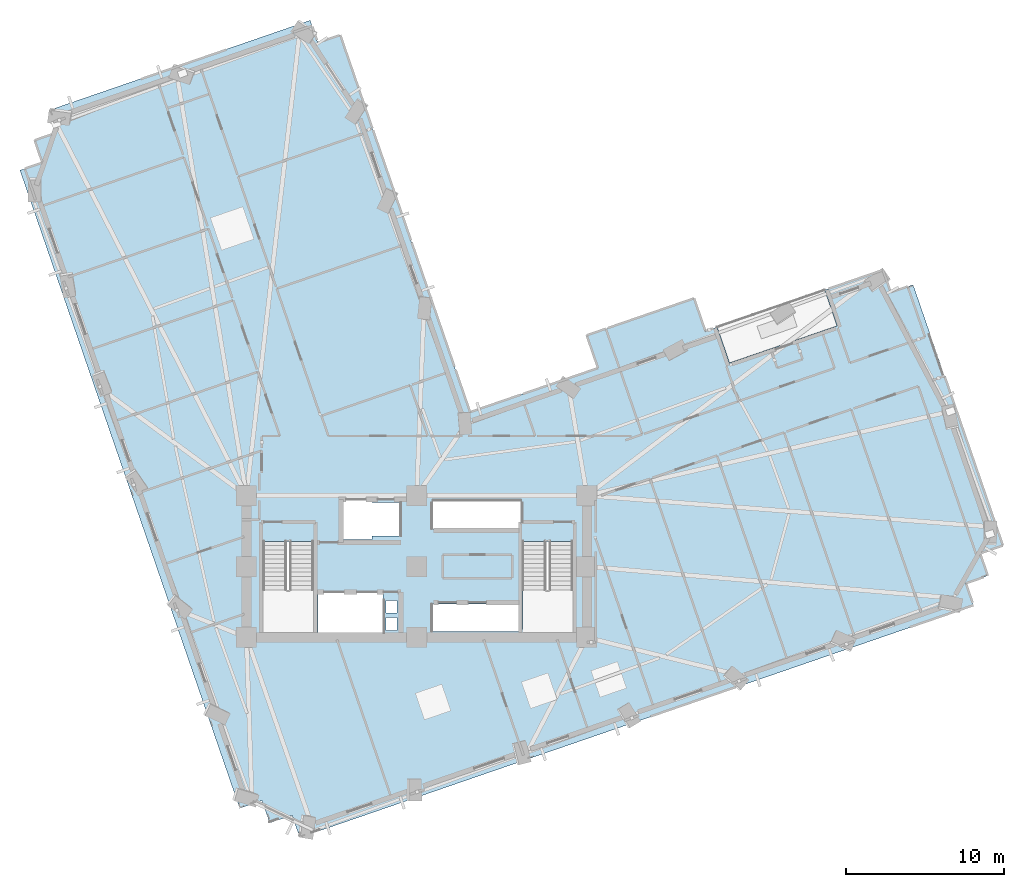
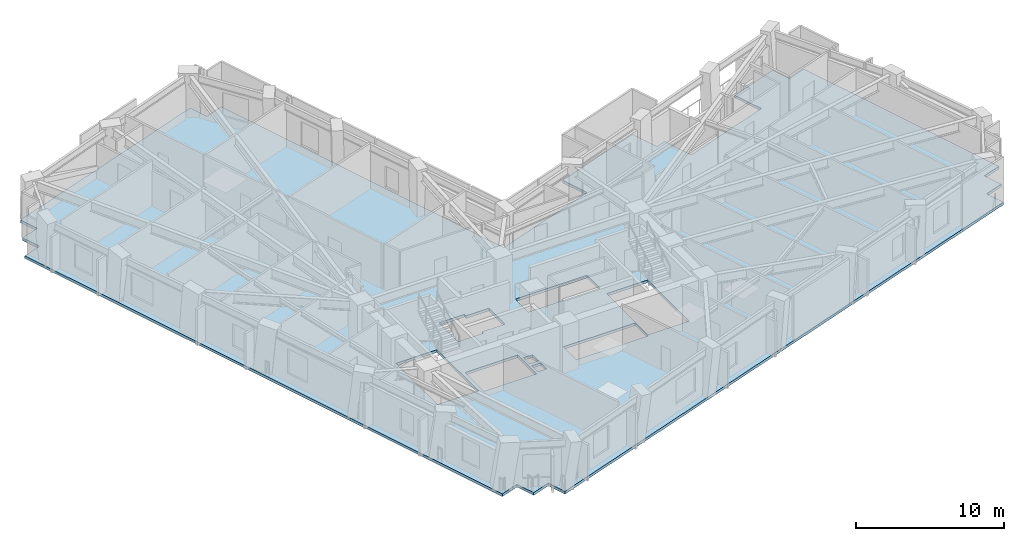
# One storey, part 4 of 15: 1 slab.
"""IFC4 building model written with IfcOpenShell, lengths in metres."""

from ifc_helpers import new_model, si_unit, direction, frame, origin, place, context, subcontext, project, spatial, polyline, outline, extrude, material, layer, layer_set, type_object, element, save


model = new_model("IFC4")

# Units and contexts
model_context = context("Model", 3, precision=1e-05, world=origin(), true_north=direction((0.0, 1.0)))
body_context = subcontext(model_context, "Body", "Model", "MODEL_VIEW")
ifc_project = project(units=[si_unit("LENGTHUNIT", "METRE"), si_unit("AREAUNIT", "SQUARE_METRE"), si_unit("VOLUMEUNIT", "CUBIC_METRE"), si_unit("PLANEANGLEUNIT", "RADIAN"), si_unit("MASSUNIT", "GRAM", prefix="KILO")], contexts=[model_context])

# Site, building, storey
site_placement = place(None, origin())
site = spatial("IfcSite", under=ifc_project, at=site_placement, CompositionType="ELEMENT")
building_placement = place(site_placement, origin())
building = spatial("IfcBuilding", under=site, at=building_placement, Name="Gaonmaruhae Medical Tower", CompositionType="ELEMENT")
storey_placement = place(building_placement, frame((0.0, 0.0, 104.39990234375)))
storey = spatial("IfcBuildingStorey", under=building, at=storey_placement, Name="L24", CompositionType="ELEMENT", Elevation=104.39990234375)

# Slab
ifc_material = material(Name="Concrete C40/50", Category="concrete")
ifc_layer = layer(ifc_material, 0.219970703125)
ifc_layer_set = layer_set([ifc_layer], Name="Concrete C40/50")
slab_type = type_object("IfcSlabType", Name="FS-220 Clinical Ward Composite Floor Slab", PredefinedType="FLOOR", material=ifc_layer_set)
slab_placement = place(storey_placement, frame((0.0, 0.0, -0.219970703125)))
element("IfcSlab", 1, at=slab_placement, inside=storey, type_object=slab_type, Name="L24 Structural Slab 1", PredefinedType="FLOOR", context=body_context, shape_type="SweptSolid", body=[
    extrude(outline(polyline([(54.86669921875, 29.690185546875), (56.284912109375, 30.178466796875), (61.982421875, 13.6318359375), (60.56396484375, 13.1435546875), (61.052490234375, 11.725341796875), (59.634033203125, 11.23681640625), (60.122314453125, 9.818603515625), (17.385009765625, -4.89697265625), (16.896484375, -3.478759765625), (15.478515625, -3.967041015625), (14.989990234375, -2.548828125), (13.57177734375, -3.037109375), (-0.362548828125, 37.430908203125), (1.0556640625, 37.91943359375), (0.5673828125, 39.337646484375), (1.985595703125, 39.825927734375), (1.497314453125, 41.244384765625), (18.043701171875, 46.941650390625), (18.5322265625, 45.5234375), (19.950439453125, 46.01171875), (28.187255859375, 22.090087890625), (36.302734375, 24.884521484375), (35.58642578125, 26.964599609375), (42.394287109375, 29.308837890625), (43.110595703125, 27.228515625), (43.866943359375, 27.489013671875), (44.648193359375, 25.2197265625), (51.4560546875, 27.56396484375), (50.674560546875, 29.833251953125), (54.378173828125, 31.1083984375), (54.86669921875, 29.690185546875)]), holes=[polyline([(23.550048828125, 8.25), (22.85009765625, 8.25), (22.85009765625, 9.050048828125), (23.550048828125, 9.050048828125), (23.550048828125, 8.25)]), polyline([(25.824951171875, 9.925048828125), (31.425048828125, 9.925048828125), (31.425048828125, 8.175048828125), (25.824951171875, 8.175048828125), (25.824951171875, 9.925048828125)]), polyline([(22.64990234375, 10.625), (22.64990234375, 8.074951171875), (18.550048828125, 8.074951171875), (18.550048828125, 10.625), (22.64990234375, 10.625)]), polyline([(23.550048828125, 9.35009765625), (22.85009765625, 9.35009765625), (22.85009765625, 10.14990234375), (23.550048828125, 10.14990234375), (23.550048828125, 9.35009765625)]), polyline([(15.050048828125, 13.889892578125), (18.25, 13.889892578125), (18.25, 8.300048828125), (15.050048828125, 8.300048828125), (15.050048828125, 13.889892578125)]), polyline([(31.5, 13.889892578125), (34.699951171875, 13.889892578125), (34.699951171875, 8.300048828125), (31.5, 8.300048828125), (31.5, 13.889892578125)]), polyline([(21.949951171875, 14.22509765625), (21.949951171875, 14.02490234375), (19.949951171875, 14.02490234375), (19.949951171875, 16.574951171875), (21.949951171875, 16.574951171875), (21.949951171875, 16.375), (23.72509765625, 16.375), (23.72509765625, 14.22509765625), (21.949951171875, 14.22509765625)]), polyline([(25.824951171875, 16.425048828125), (31.425048828125, 16.425048828125), (31.425048828125, 14.675048828125), (25.824951171875, 14.675048828125), (25.824951171875, 16.425048828125)])]), origin(), (0.0, 0.0, 1.0), 0.219970703125),
])

save(model, "model.ifc")
